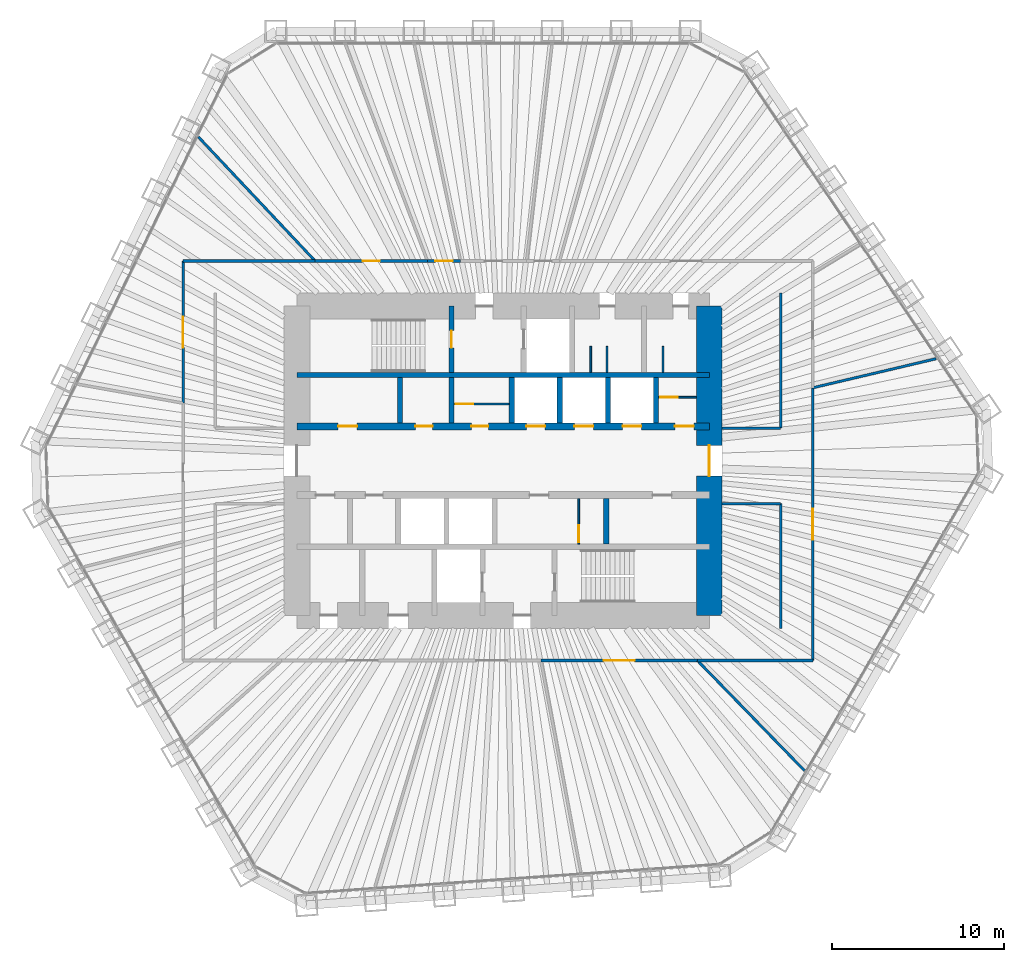
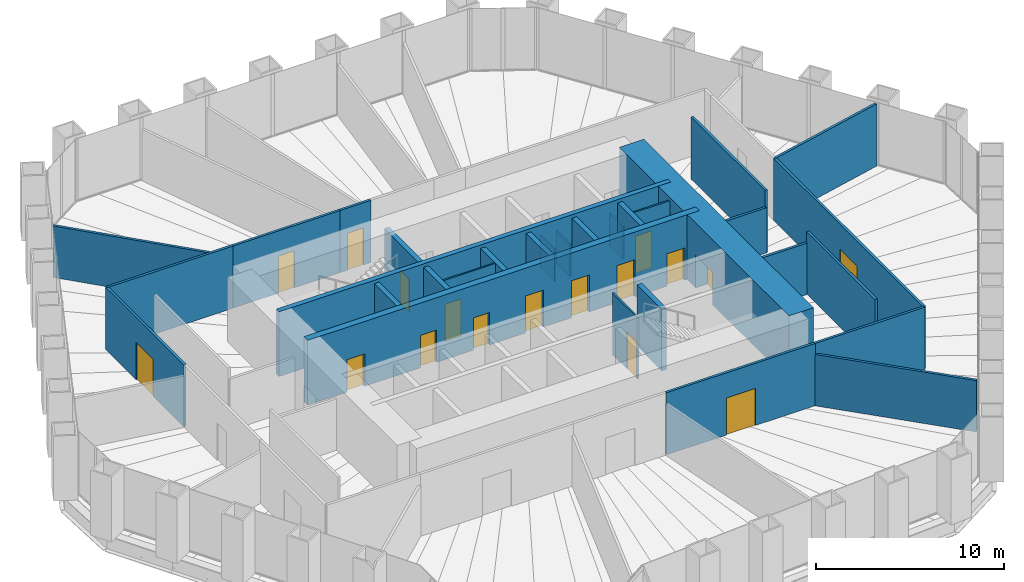
# One storey, part 11 of 13: 31 walls, 17 doors, 17 openings.
"""IFC4 building model written with IfcOpenShell, lengths in metres."""

import ifcopenshell
import ifcopenshell.guid

model = None  # the IFC model being written
_history = None  # IfcOwnerHistory: only IFC2X3 demands one
_inside = {}  # id of a spatial element -> (the spatial element, [elements in it])
_under = {}  # id of a project, library or spatial element -> (it, [spatial elements below it])
_declared = {}  # id of a project -> (the project, [libraries it declares])
_typed = {}  # id of a type object -> (the type object, [elements of that type])
_made_of = {}  # id of a material, layer set ... -> (it, [elements and type objects made of it])


def new_model(schema):
    """Start an empty IFC model of exactly this schema.

    Asked for "IFC4X3", IfcOpenShell would pick the latest addendum, in which some entities
    have other attributes; the version numbers below select the first issue.
    IFC2X3 requires an IfcOwnerHistory on every rooted entity: one is made here for all.
    """
    global model, _history
    if schema == "IFC4X3":
        model = ifcopenshell.file(schema_version=(4, 3, 0, 0))
    else:
        model = ifcopenshell.file(schema=schema)
    _inside.clear()
    _under.clear()
    _declared.clear()
    _typed.clear()
    _made_of.clear()
    _history = None
    if model.schema == "IFC2X3":
        org = make("IfcOrganization", Name="unknown")
        user = make(
            "IfcPersonAndOrganization",
            ThePerson=make("IfcPerson", FamilyName="unknown"),
            TheOrganization=org,
        )
        app = make(
            "IfcApplication",
            ApplicationDeveloper=org,
            Version="unknown",
            ApplicationFullName="unknown",
            ApplicationIdentifier="unknown",
        )
        _history = make(
            "IfcOwnerHistory",
            OwningUser=user,
            OwningApplication=app,
            ChangeAction="ADDED",
            CreationDate=0,
        )
    return model


def make(cls, **values):
    """One entity of the class cls with the attributes given. An attribute that is None is left unset."""
    return model.create_entity(
        cls, **{name: value for name, value in values.items() if value is not None}
    )


def rooted(cls, **values):
    """An entity with a GlobalId (a new one), such as an element, a storey or a relation."""
    return make(cls, GlobalId=ifcopenshell.guid.new(), OwnerHistory=_history, **values)


def si_unit(unit_type, name, prefix=None):
    """IfcSIUnit, for example si_unit("LENGTHUNIT", "METRE", prefix="MILLI")."""
    return make("IfcSIUnit", UnitType=unit_type, Prefix=prefix, Name=name)


def assignment(units):
    """IfcUnitAssignment: the units of a project."""
    return None if units is None else make("IfcUnitAssignment", Units=units)


def point(xyz):
    """IfcCartesianPoint."""
    return None if xyz is None else make("IfcCartesianPoint", Coordinates=xyz)


def direction(xyz):
    """IfcDirection."""
    return None if xyz is None else make("IfcDirection", DirectionRatios=xyz)


def frame(location, z_axis=None, x_axis=None):
    """IfcAxis2Placement3D, a coordinate frame: its origin and axes. An axis left out is left unset."""
    return make(
        "IfcAxis2Placement3D",
        Location=point(location),
        Axis=direction(z_axis),
        RefDirection=direction(x_axis),
    )


def frame_2d(location, x_axis=None):
    """IfcAxis2Placement2D, a coordinate frame in the plane: its origin and x axis."""
    return make(
        "IfcAxis2Placement2D", Location=point(location), RefDirection=direction(x_axis)
    )


def origin():
    """The frame at (0, 0, 0) with its axes left unset."""
    return frame((0.0, 0.0, 0.0))


def place(relative_to, where):
    """IfcLocalPlacement: puts the frame where relative to a parent placement (None: the world)."""
    return make(
        "IfcLocalPlacement", PlacementRelTo=relative_to, RelativePlacement=where
    )


def context(
    kind, dimensions, precision=None, world=None, true_north=None, identifier=None
):
    """IfcGeometricRepresentationContext, for example the 3D "Model" context."""
    return make(
        "IfcGeometricRepresentationContext",
        ContextIdentifier=identifier,
        ContextType=kind,
        CoordinateSpaceDimension=dimensions,
        Precision=precision,
        WorldCoordinateSystem=world,
        TrueNorth=true_north,
    )


def subcontext(parent, identifier, kind, view, scale=None):
    """IfcGeometricRepresentationSubContext, for example "Body" below "Model"."""
    return make(
        "IfcGeometricRepresentationSubContext",
        ContextIdentifier=identifier,
        ContextType=kind,
        ParentContext=parent,
        TargetScale=scale,
        TargetView=view,
    )


def project(units=None, contexts=None):
    """IfcProject with its units and contexts."""
    return rooted(
        "IfcProject",
        Name="project",
        RepresentationContexts=contexts,
        UnitsInContext=assignment(units),
    )


def spatial(cls, under=None, at=None, **own):
    """A site, building, storey or space (cls), placed at a placement, below another one or the project."""
    s = rooted(cls, ObjectPlacement=at, **own)
    if under is not None:
        _under.setdefault(under.id(), (under, []))[1].append(s)
    return s


def profile(cls, at=None, kind="AREA", **sizes):
    """A parametric profile (cls). Its sizes go by their IFC names, for example OverallWidth=200.0."""
    return make(cls, ProfileType=kind, Position=at, **sizes)


def rectangle(**sizes):
    """IfcRectangleProfileDef."""
    return profile("IfcRectangleProfileDef", **sizes)


def extrude(swept, where, along, depth):
    """IfcExtrudedAreaSolid: the profile swept, set in the frame where, extruded along a direction by depth."""
    return make(
        "IfcExtrudedAreaSolid",
        SweptArea=swept,
        Position=where,
        ExtrudedDirection=direction(along),
        Depth=depth,
    )


def shape(context_of_items, identifier, shape_type, items):
    """IfcShapeRepresentation: the items that make up one representation, for example the "Body"."""
    return make(
        "IfcShapeRepresentation",
        ContextOfItems=context_of_items,
        RepresentationIdentifier=identifier,
        RepresentationType=shape_type,
        Items=items,
    )


def material(Name=None, Category=None):
    """IfcMaterial."""
    return make("IfcMaterial", Name=Name, Category=Category)


def layer(
    of_material, thickness, ventilated=None, Name=None, Category=None, Priority=None
):
    """IfcMaterialLayer: one layer of a wall or slab, of a material (None: an air gap)."""
    return make(
        "IfcMaterialLayer",
        Material=of_material,
        LayerThickness=thickness,
        IsVentilated=ventilated,
        Name=Name,
        Category=Category,
        Priority=Priority,
    )


def layer_set(layers, Name=None):
    """IfcMaterialLayerSet."""
    return make("IfcMaterialLayerSet", MaterialLayers=layers, LayerSetName=Name)


def made_of(thing, what):
    """Note that an element or type object is made of a material, layer set ...; save() writes the relation."""
    if what is not None:
        _made_of.setdefault(what.id(), (what, []))[1].append(thing)
    return thing


def type_object(cls, material=None, **own):
    """A type object (cls), such as IfcWallType, which elements share."""
    return made_of(rooted(cls, **own), material)


def element(
    cls,
    number,
    at=None,
    inside=None,
    cuts=None,
    type_object=None,
    material=None,
    context=None,
    identifier="Body",
    shape_type=None,
    held_by="IfcProductDefinitionShape",
    body=None,
    shapes=None,
    **own,
):
    """One element of the class cls, such as IfcWall. Its Tag is "e" and its number.

    at: its placement. inside: the storey or other place that contains it. cuts: it is an
    opening in that element (IfcRelVoidsElement). A single representation is given by context,
    identifier, shape_type and body (its items); several are given by shapes. held_by: the class
    of the entity that holds the representations. save() writes the other relations.
    """
    e = rooted(cls, Tag="e%d" % number, ObjectPlacement=at, **own)
    if body is not None:
        shapes = [shape(context, identifier, shape_type, body)]
    if shapes is not None:
        e.Representation = make(held_by, Representations=shapes)
    if inside is not None:
        _inside.setdefault(inside.id(), (inside, []))[1].append(e)
    if cuts is not None:
        rooted(
            "IfcRelVoidsElement", RelatingBuildingElement=cuts, RelatedOpeningElement=e
        )
    if type_object is not None:
        _typed.setdefault(type_object.id(), (type_object, []))[1].append(e)
    return made_of(e, material)


def fill(opening, filler):
    """IfcRelFillsElement: the door or window that sits in an opening."""
    return rooted(
        "IfcRelFillsElement",
        RelatingOpeningElement=opening,
        RelatedBuildingElement=filler,
    )


def aggregate(whole, parts):
    """IfcRelAggregates: a whole, such as a stair, and the parts it consists of."""
    return rooted("IfcRelAggregates", RelatingObject=whole, RelatedObjects=parts)


def save(model, path):
    """Write the relations noted so far, then the file.

    IfcRelAggregates (storeys below a building ...), IfcRelContainedInSpatialStructure (elements
    in a storey), IfcRelDefinesByType, IfcRelAssociatesMaterial and IfcRelDeclares: one each for
    every whole, place, type object, material and project.
    """
    for whole, parts in _under.values():
        aggregate(whole, parts)
    for where, things in _inside.values():
        rooted(
            "IfcRelContainedInSpatialStructure",
            RelatedElements=things,
            RelatingStructure=where,
        )
    for kind, things in _typed.values():
        rooted("IfcRelDefinesByType", RelatedObjects=things, RelatingType=kind)
    for what, things in _made_of.values():
        rooted("IfcRelAssociatesMaterial", RelatedObjects=things, RelatingMaterial=what)
    for by, libraries in _declared.values():
        rooted("IfcRelDeclares", RelatingContext=by, RelatedDefinitions=libraries)
    model.write(path)


model = new_model("IFC4")

# Units and contexts
model_context = context("Model", 3, precision=1e-05, world=origin(), true_north=direction((0.0, 1.0)))
body_context = subcontext(model_context, "Body", "Model", "MODEL_VIEW")
ifc_project = project(units=[si_unit("LENGTHUNIT", "METRE"), si_unit("AREAUNIT", "SQUARE_METRE"), si_unit("VOLUMEUNIT", "CUBIC_METRE"), si_unit("PLANEANGLEUNIT", "RADIAN"), si_unit("MASSUNIT", "GRAM", prefix="KILO")], contexts=[model_context])

# Site, building, storey
site_placement = place(None, origin())
site = spatial("IfcSite", under=ifc_project, at=site_placement, CompositionType="ELEMENT")
building_placement = place(site_placement, origin())
building = spatial("IfcBuilding", under=site, at=building_placement, Name="Qingtian Harvest Tower", CompositionType="ELEMENT")
storey_placement = place(building_placement, frame((0.0, 0.0, 132.39990234375)))
storey = spatial("IfcBuildingStorey", under=building, at=storey_placement, Name="L27", CompositionType="ELEMENT", Elevation=132.39990234375)

# Wall
ifc_material_1 = material(Name="Concrete fc' 70 MPa", Category="concrete")
ifc_layer_1 = layer(ifc_material_1, 0.300048828125)
ifc_layer_set_1 = layer_set([ifc_layer_1], Name="Core inner wall RC5 300")
wall_type_1 = type_object("IfcWallType", Name="Core inner wall RC5 300", PredefinedType="SHEAR", material=ifc_layer_set_1)
wall_1_placement = place(storey_placement, frame((-12.0, 5.0, 0.0), z_axis=(0.0, 0.0, 1.0), x_axis=(1.0, 0.0, 0.0)))
element("IfcWall", 1, at=wall_1_placement, inside=storey, type_object=wall_type_1, Name="Core wall IN5 L27", PredefinedType="SHEAR", context=body_context, shape_type="SweptSolid", body=[
    extrude(rectangle(XDim=24.0, YDim=0.300048828125, at=frame_2d((12.0, 0.0))), origin(), (0.0, 0.0, 1.0), 4.2001953125),
])

# Wall, openings, doors
ifc_material_2 = material(Name="Concrete fc' 70 MPa", Category="concrete")
ifc_layer_2 = layer(ifc_material_2, 0.39990234375)
ifc_layer_set_2 = layer_set([ifc_layer_2], Name="Core inner web RC6 400")
wall_type_2 = type_object("IfcWallType", Name="Core inner web RC6 400", PredefinedType="SHEAR", material=ifc_layer_set_2)
wall_2_placement = place(storey_placement, frame((-12.0, 2.0, 0.0), z_axis=(0.0, 0.0, 1.0), x_axis=(1.0, 0.0, 0.0)))
wall_2 = element("IfcWall", 2, at=wall_2_placement, inside=storey, type_object=wall_type_2, Name="Core wall IN2 L27", PredefinedType="SHEAR", context=body_context, shape_type="SweptSolid", body=[
    extrude(rectangle(XDim=24.0, YDim=0.39990234375, at=frame_2d((12.0, 0.0))), origin(), (0.0, 0.0, 1.0), 4.2001953125),
])
opening_1_placement = place(wall_2_placement, frame((2.39990234375, 0.0, 0.0)))
opening_1 = element("IfcOpeningElement", 3, at=opening_1_placement, cuts=wall_2, Name="Opening FD4", PredefinedType="OPENING", context=body_context, shape_type="SweptSolid", body=[
    extrude(rectangle(XDim=1.10009765625, YDim=2.10009765625, at=frame_2d((0.550048828125, 1.050048828125))), frame((0.0, 0.2099609375, 0.0), z_axis=(0.0, -1.0, 0.0), x_axis=(1.0, 0.0, 0.0)), (0.0, 0.0, 1.0), 0.419921875),
])
opening_2_placement = place(wall_2_placement, frame((22.0, 0.0, 0.0)))
opening_2 = element("IfcOpeningElement", 4, at=opening_2_placement, cuts=wall_2, Name="Opening FD4", PredefinedType="OPENING", context=body_context, shape_type="SweptSolid", body=[
    extrude(rectangle(XDim=1.10009765625, YDim=2.10009765625, at=frame_2d((0.550048828125, 1.050048828125))), frame((0.0, 0.2099609375, 0.0), z_axis=(0.0, -1.0, 0.0), x_axis=(1.0, 0.0, 0.0)), (0.0, 0.0, 1.0), 0.419921875),
])
opening_3_placement = place(wall_2_placement, frame((10.14990234375, 0.0, 0.0)))
opening_3 = element("IfcOpeningElement", 5, at=opening_3_placement, cuts=wall_2, Name="Opening FD1", PredefinedType="OPENING", context=body_context, shape_type="SweptSolid", body=[
    extrude(rectangle(XDim=1.0, YDim=2.10009765625, at=frame_2d((0.5, 1.050048828125))), frame((0.0, 0.2099609375, 0.0), z_axis=(0.0, -1.0, 0.0), x_axis=(1.0, 0.0, 0.0)), (0.0, 0.0, 1.0), 0.419921875),
])
opening_4_placement = place(wall_2_placement, frame((6.89990234375, 0.0, 0.0)))
opening_4 = element("IfcOpeningElement", 6, at=opening_4_placement, cuts=wall_2, Name="Opening FD1", PredefinedType="OPENING", context=body_context, shape_type="SweptSolid", body=[
    extrude(rectangle(XDim=1.0, YDim=2.10009765625, at=frame_2d((0.5, 1.050048828125))), frame((0.0, 0.2099609375, 0.0), z_axis=(0.0, -1.0, 0.0), x_axis=(1.0, 0.0, 0.0)), (0.0, 0.0, 1.0), 0.419921875),
])
opening_5_placement = place(wall_2_placement, frame((13.35009765625, 0.0, 0.0)))
opening_5 = element("IfcOpeningElement", 7, at=opening_5_placement, cuts=wall_2, Name="Opening LD1", PredefinedType="OPENING", context=body_context, shape_type="SweptSolid", body=[
    extrude(rectangle(XDim=1.10009765625, YDim=2.39990234375, at=frame_2d((0.550048828125, 1.199951171875))), frame((0.0, 0.2099609375, 0.0), z_axis=(0.0, -1.0, 0.0), x_axis=(1.0, 0.0, 0.0)), (0.0, 0.0, 1.0), 0.419921875),
])
opening_6_placement = place(wall_2_placement, frame((16.14990234375, 0.0, 0.0)))
opening_6 = element("IfcOpeningElement", 8, at=opening_6_placement, cuts=wall_2, Name="Opening LD1", PredefinedType="OPENING", context=body_context, shape_type="SweptSolid", body=[
    extrude(rectangle(XDim=1.10009765625, YDim=2.39990234375, at=frame_2d((0.550048828125, 1.199951171875))), frame((0.0, 0.2099609375, 0.0), z_axis=(0.0, -1.0, 0.0), x_axis=(1.0, 0.0, 0.0)), (0.0, 0.0, 1.0), 0.419921875),
])
opening_7_placement = place(wall_2_placement, frame((18.949951171875, 0.0, 0.0)))
opening_7 = element("IfcOpeningElement", 9, at=opening_7_placement, cuts=wall_2, Name="Opening LD1", PredefinedType="OPENING", context=body_context, shape_type="SweptSolid", body=[
    extrude(rectangle(XDim=1.10009765625, YDim=2.39990234375, at=frame_2d((0.550048828125, 1.199951171875))), frame((0.0, 0.2099609375, 0.0), z_axis=(0.0, -1.0, 0.0), x_axis=(1.0, 0.0, 0.0)), (0.0, 0.0, 1.0), 0.419921875),
])
ifc_material_3 = material(Name="Steel-faced door leaf", Category="steel")
door_type_1 = type_object("IfcDoorType", Name="Fire door FD1 single 1 HR", OperationType="SINGLE_SWING_LEFT", PredefinedType="DOOR", material=ifc_material_3)
door_1_placement = place(opening_3_placement, origin())
door_1 = element("IfcDoor", 10, at=door_1_placement, inside=storey, type_object=door_type_1, Name="STA door L27", OperationType="SINGLE_SWING_LEFT", OverallHeight=2.10009765625, OverallWidth=1.0, PredefinedType="DOOR", context=body_context, shape_type="SweptSolid", body=[
    extrude(rectangle(XDim=1.0, YDim=2.10009765625, at=frame_2d((0.5, 1.050048828125))), frame((0.0, 0.02490234375, 0.0), z_axis=(0.0, -1.0, 0.0), x_axis=(1.0, 0.0, 0.0)), (0.0, 0.0, 1.0), 0.050048828125),
])
fill(opening_3, door_1)
door_2_placement = place(opening_4_placement, origin())
door_2 = element("IfcDoor", 11, at=door_2_placement, inside=storey, type_object=door_type_1, Name="Store door L27", OperationType="SINGLE_SWING_RIGHT", OverallHeight=2.10009765625, OverallWidth=1.0, PredefinedType="DOOR", context=body_context, shape_type="SweptSolid", body=[
    extrude(rectangle(XDim=1.0, YDim=2.10009765625, at=frame_2d((0.5, 1.050048828125))), frame((0.0, 0.02490234375, 0.0), z_axis=(0.0, -1.0, 0.0), x_axis=(1.0, 0.0, 0.0)), (0.0, 0.0, 1.0), 0.050048828125),
])
fill(opening_4, door_2)
ifc_material_4 = material(Name="Steel-faced door leaf", Category="steel")
door_type_2 = type_object("IfcDoorType", Name="Fire door FD4 single 2 HR", OperationType="SINGLE_SWING_LEFT", PredefinedType="DOOR", material=ifc_material_4)
door_3_placement = place(opening_1_placement, origin())
door_3 = element("IfcDoor", 12, at=door_3_placement, inside=storey, type_object=door_type_2, Name="RA door L27", OperationType="SINGLE_SWING_LEFT", OverallHeight=2.10009765625, OverallWidth=1.10009765625, PredefinedType="DOOR", context=body_context, shape_type="SweptSolid", body=[
    extrude(rectangle(XDim=1.10009765625, YDim=2.10009765625, at=frame_2d((0.550048828125, 1.050048828125))), frame((0.0, 0.02490234375, 0.0), z_axis=(0.0, -1.0, 0.0), x_axis=(1.0, 0.0, 0.0)), (0.0, 0.0, 1.0), 0.050048828125),
])
fill(opening_1, door_3)
door_4_placement = place(opening_2_placement, origin())
door_4 = element("IfcDoor", 13, at=door_4_placement, inside=storey, type_object=door_type_2, Name="AHU door L27", OperationType="SINGLE_SWING_RIGHT", OverallHeight=2.10009765625, OverallWidth=1.10009765625, PredefinedType="DOOR", context=body_context, shape_type="SweptSolid", body=[
    extrude(rectangle(XDim=1.10009765625, YDim=2.10009765625, at=frame_2d((0.550048828125, 1.050048828125))), frame((0.0, 0.02490234375, 0.0), z_axis=(0.0, -1.0, 0.0), x_axis=(1.0, 0.0, 0.0)), (0.0, 0.0, 1.0), 0.050048828125),
])
fill(opening_2, door_4)
ifc_material_5 = material(Name="Stainless steel lift landing door", Category="steel")
door_type_3 = type_object("IfcDoorType", Name="Lift landing door LD1 1 HR", OperationType="DOUBLE_DOOR_SLIDING", PredefinedType="DOOR", material=ifc_material_5)
door_5_placement = place(opening_5_placement, origin())
door_5 = element("IfcDoor", 14, at=door_5_placement, inside=storey, type_object=door_type_3, Name="PLB1 landing door L27", OperationType="DOUBLE_DOOR_SLIDING", OverallHeight=2.39990234375, OverallWidth=1.10009765625, PredefinedType="DOOR", context=body_context, shape_type="SweptSolid", body=[
    extrude(rectangle(XDim=1.10009765625, YDim=2.39990234375, at=frame_2d((0.550048828125, 1.199951171875))), frame((0.0, 0.02490234375, 0.0), z_axis=(0.0, -1.0, 0.0), x_axis=(1.0, 0.0, 0.0)), (0.0, 0.0, 1.0), 0.050048828125),
])
fill(opening_5, door_5)
door_6_placement = place(opening_6_placement, origin())
door_6 = element("IfcDoor", 15, at=door_6_placement, inside=storey, type_object=door_type_3, Name="PLB2 landing door L27", OperationType="DOUBLE_DOOR_SLIDING", OverallHeight=2.39990234375, OverallWidth=1.10009765625, PredefinedType="DOOR", context=body_context, shape_type="SweptSolid", body=[
    extrude(rectangle(XDim=1.10009765625, YDim=2.39990234375, at=frame_2d((0.550048828125, 1.199951171875))), frame((0.0, 0.02490234375, 0.0), z_axis=(0.0, -1.0, 0.0), x_axis=(1.0, 0.0, 0.0)), (0.0, 0.0, 1.0), 0.050048828125),
])
fill(opening_6, door_6)
door_7_placement = place(opening_7_placement, origin())
door_7 = element("IfcDoor", 16, at=door_7_placement, inside=storey, type_object=door_type_3, Name="PLB3 landing door L27", OperationType="DOUBLE_DOOR_SLIDING", OverallHeight=2.39990234375, OverallWidth=1.10009765625, PredefinedType="DOOR", context=body_context, shape_type="SweptSolid", body=[
    extrude(rectangle(XDim=1.10009765625, YDim=2.39990234375, at=frame_2d((0.550048828125, 1.199951171875))), frame((0.0, 0.02490234375, 0.0), z_axis=(0.0, -1.0, 0.0), x_axis=(1.0, 0.0, 0.0)), (0.0, 0.0, 1.0), 0.050048828125),
])
fill(opening_7, door_7)

# Wall, opening, door
ifc_material_6 = material(Name="Precast concrete shaft panel", Category="concrete")
ifc_layer_3 = layer(ifc_material_6, 0.300048828125)
ifc_layer_set_3 = layer_set([ifc_layer_3], Name="Core shaft partition SW1 300")
wall_type_3 = type_object("IfcWallType", Name="Core shaft partition SW1 300", PredefinedType="PARTITIONING", material=ifc_layer_set_3)
wall_3_placement = place(storey_placement, frame((-3.0, 5.14990234375, 0.0), z_axis=(0.0, 0.0, 1.0), x_axis=(0.0, 1.0, 0.0)))
wall_3 = element("IfcWall", 17, at=wall_3_placement, inside=storey, type_object=wall_type_3, Name="Core shaft partition XN1 L27", PredefinedType="PARTITIONING", context=body_context, shape_type="SweptSolid", body=[
    extrude(rectangle(XDim=3.85009765625, YDim=0.300048828125, at=frame_2d((1.925048828125, 0.0))), origin(), (0.0, 0.0, 1.0), 3.97998046875),
])
opening_8_placement = place(wall_3_placement, frame((1.425048828125, 0.0, 0.0)))
opening_8 = element("IfcOpeningElement", 18, at=opening_8_placement, cuts=wall_3, Name="Opening FD1", PredefinedType="OPENING", context=body_context, shape_type="SweptSolid", body=[
    extrude(rectangle(XDim=1.0, YDim=2.10009765625, at=frame_2d((0.5, 1.050048828125))), frame((0.0, 0.159912109375, 0.0), z_axis=(0.0, -1.0, 0.0), x_axis=(1.0, 0.0, 0.0)), (0.0, 0.0, 1.0), 0.320068359375),
])
door_8_placement = place(opening_8_placement, origin())
door_8 = element("IfcDoor", 19, at=door_8_placement, inside=storey, type_object=door_type_1, Name="S1 door L27", OperationType="SINGLE_SWING_LEFT", OverallHeight=2.10009765625, OverallWidth=1.0, PredefinedType="DOOR", context=body_context, shape_type="SweptSolid", body=[
    extrude(rectangle(XDim=1.0, YDim=2.10009765625, at=frame_2d((0.5, 1.050048828125))), frame((0.0, 0.02490234375, 0.0), z_axis=(0.0, -1.0, 0.0), x_axis=(1.0, 0.0, 0.0)), (0.0, 0.0, 1.0), 0.050048828125),
])
fill(opening_8, door_8)

# Walls
for number, where, z_axis, x_axis, name in (
    (20, (-6.0, 2.199951171875, 0.0), (0.0, 0.0, 1.0), (0.0, 1.0, 0.0), "Core shaft partition XA1 L27"),
    (21, (-3.0, 2.199951171875, 0.0), (0.0, 0.0, 1.0), (0.0, 1.0, 0.0), "Core shaft partition XA2 L27"),
    (22, (0.5, 2.199951171875, 0.0), (0.0, 0.0, 1.0), (0.0, 1.0, 0.0), "Core shaft partition XA3 L27"),
    (23, (3.300048828125, 2.199951171875, 0.0), (0.0, 0.0, 1.0), (0.0, 1.0, 0.0), "Core shaft partition XA4 L27"),
    (24, (6.10009765625, 2.199951171875, 0.0), (0.0, 0.0, 1.0), (0.0, 1.0, 0.0), "Core shaft partition XA5 L27"),
    (25, (8.89990234375, 2.199951171875, 0.0), (0.0, 0.0, 1.0), (0.0, 1.0, 0.0), "Core shaft partition XA6 L27"),
    (26, (6.0, -4.85009765625, 0.0), (0.0, 0.0, 1.0), (0.0, 1.0, 0.0), "Core shaft partition XB5 L27"),
):
    element("IfcWall", number, at=place(storey_placement, frame(where, z_axis=z_axis, x_axis=x_axis)), inside=storey, type_object=wall_type_3, Name=name, PredefinedType="PARTITIONING", context=body_context, shape_type="SweptSolid", body=[
        extrude(rectangle(XDim=2.650146484375, YDim=0.300048828125, at=frame_2d((1.3251953125, 0.0))), origin(), (0.0, 0.0, 1.0), 3.97998046875),
    ])

# Wall, opening, door
ifc_material_7 = material(Name="Concrete fc' 70 MPa", Category="concrete")
ifc_layer_4 = layer(ifc_material_7, 1.5)
ifc_layer_set_4 = layer_set([ifc_layer_4], Name="Core wall RC1 1500")
wall_type_4 = type_object("IfcWallType", Name="Core wall RC1 1500", PredefinedType="SHEAR", material=ifc_layer_set_4)
wall_4_placement = place(storey_placement, frame((12.0, -9.0, 0.0), z_axis=(0.0, 0.0, 1.0), x_axis=(0.0, 1.0, 0.0)))
wall_4 = element("IfcWall", 27, at=wall_4_placement, inside=storey, type_object=wall_type_4, Name="Core wall CE L27", PredefinedType="SHEAR", context=body_context, shape_type="SweptSolid", body=[
    extrude(rectangle(XDim=18.0, YDim=1.5, at=frame_2d((9.0, 0.0))), origin(), (0.0, 0.0, 1.0), 4.2001953125),
])
opening_9_placement = place(wall_4_placement, frame((8.10009765625, 0.0, 0.0)))
opening_9 = element("IfcOpeningElement", 28, at=opening_9_placement, cuts=wall_4, Name="Opening FD2", PredefinedType="OPENING", context=body_context, shape_type="SweptSolid", body=[
    extrude(rectangle(XDim=1.800048828125, YDim=2.10009765625, at=frame_2d((0.89990234375, 1.050048828125))), frame((0.0, 0.760009765625, 0.0), z_axis=(0.0, -1.0, 0.0), x_axis=(1.0, 0.0, 0.0)), (0.0, 0.0, 1.0), 1.52001953125),
])
ifc_material_8 = material(Name="Steel-faced door leaf", Category="steel")
door_type_4 = type_object("IfcDoorType", Name="Fire door FD2 double 1 HR", OperationType="DOUBLE_DOOR_DOUBLE_SWING", PredefinedType="DOOR", material=ifc_material_8)
door_9_placement = place(opening_9_placement, origin())
door_9 = element("IfcDoor", 29, at=door_9_placement, inside=storey, type_object=door_type_4, Name="LOBBY-E door L27", OperationType="DOUBLE_DOOR_DOUBLE_SWING", OverallHeight=2.10009765625, OverallWidth=1.800048828125, PredefinedType="DOOR", context=body_context, shape_type="SweptSolid", body=[
    extrude(rectangle(XDim=1.800048828125, YDim=2.10009765625, at=frame_2d((0.89990234375, 1.050048828125))), frame((0.0, 0.02490234375, 0.0), z_axis=(0.0, -1.0, 0.0), x_axis=(1.0, 0.0, 0.0)), (0.0, 0.0, 1.0), 0.050048828125),
])
fill(opening_9, door_9)

# Wall
ifc_material_9 = material(Name="Gypsum board on steel studs", Category="steel")
ifc_layer_5 = layer(ifc_material_9, 0.14990234375)
ifc_layer_set_5 = layer_set([ifc_layer_5], Name="Partition PT1 150")
wall_type_5 = type_object("IfcWallType", Name="Partition PT1 150", PredefinedType="PARTITIONING", material=ifc_layer_set_5)
wall_5_placement = place(storey_placement, frame((25.1943359375, 5.93603515625, 0.0), z_axis=(0.0, 0.0, 1.0), x_axis=(-0.973348007689, -0.22933306767, 0.0)))
element("IfcWall", 30, at=wall_5_placement, inside=storey, type_object=wall_type_5, Name="Fitness room wall L27", PredefinedType="PARTITIONING", context=body_context, shape_type="SweptSolid", body=[
    extrude(rectangle(XDim=7.36572265625, YDim=0.14990234375, at=frame_2d((3.682861328125, 0.0))), origin(), (0.0, 0.0, 1.0), 4.030029296875),
])

# Wall, opening, door
wall_6_placement = place(storey_placement, frame((18.02490234375, 4.246826171875, 0.0), z_axis=(0.0, 0.0, 1.0), x_axis=(0.0, -1.0, 0.0)))
wall_6 = element("IfcWall", 31, at=wall_6_placement, inside=storey, type_object=wall_type_5, Name="Fitness room wall L27", PredefinedType="PARTITIONING", context=body_context, shape_type="SweptSolid", body=[
    extrude(rectangle(XDim=15.871826171875, YDim=0.14990234375, at=frame_2d((7.93603515625, 0.0))), origin(), (0.0, 0.0, 1.0), 4.030029296875),
])
opening_10_placement = place(wall_6_placement, frame((7.035888671875, 0.0, 0.0)))
opening_10 = element("IfcOpeningElement", 32, at=opening_10_placement, cuts=wall_6, Name="Opening D3", PredefinedType="OPENING", context=body_context, shape_type="SweptSolid", body=[
    extrude(rectangle(XDim=1.800048828125, YDim=2.39990234375, at=frame_2d((0.89990234375, 1.199951171875))), frame((0.0, 0.0849609375, 0.0), z_axis=(0.0, -1.0, 0.0), x_axis=(1.0, 0.0, 0.0)), (0.0, 0.0, 1.0), 0.169921875),
])
ifc_material_10 = material(Name="Laminated timber door leaf", Category="wood")
door_type_5 = type_object("IfcDoorType", Name="Room door D3 double", OperationType="DOUBLE_DOOR_DOUBLE_SWING", PredefinedType="DOOR", material=ifc_material_10)
door_10_placement = place(opening_10_placement, origin())
door_10 = element("IfcDoor", 33, at=door_10_placement, inside=storey, type_object=door_type_5, Name="Fitness room door L27", OperationType="DOUBLE_DOOR_DOUBLE_SWING", OverallHeight=2.39990234375, OverallWidth=1.800048828125, PredefinedType="DOOR", context=body_context, shape_type="SweptSolid", body=[
    extrude(rectangle(XDim=1.800048828125, YDim=2.39990234375, at=frame_2d((0.89990234375, 1.199951171875))), frame((0.0, 0.02490234375, 0.0), z_axis=(0.0, -1.0, 0.0), x_axis=(1.0, 0.0, 0.0)), (0.0, 0.0, 1.0), 0.050048828125),
])
fill(opening_10, door_10)

# Walls
wall_7_placement = place(storey_placement, frame((18.02490234375, -11.625, 0.0), z_axis=(0.0, 0.0, 1.0), x_axis=(-1.0, 0.0, 0.0)))
element("IfcWall", 34, at=wall_7_placement, inside=storey, type_object=wall_type_5, Name="Fitness room wall L27", PredefinedType="PARTITIONING", context=body_context, shape_type="SweptSolid", body=[
    extrude(rectangle(XDim=6.7177734375, YDim=0.14990234375, at=frame_2d((3.35888671875, 0.0))), origin(), (0.0, 0.0, 1.0), 4.030029296875),
])
wall_8_placement = place(storey_placement, frame((17.537841796875, -18.031005859375, 0.0), z_axis=(0.0, 0.0, 1.0), x_axis=(-0.697230918085, 0.716846599257, 0.0)))
element("IfcWall", 35, at=wall_8_placement, inside=storey, type_object=wall_type_5, Name="Grower training room wall L27", PredefinedType="PARTITIONING", context=body_context, shape_type="SweptSolid", body=[
    extrude(rectangle(XDim=8.936279296875, YDim=0.14990234375, at=frame_2d((4.46826171875, 0.0))), origin(), (0.0, 0.0, 1.0), 3.330078125),
])

# Wall, opening, door
wall_9_placement = place(storey_placement, frame((11.30712890625, -11.625, 0.0), z_axis=(0.0, 0.0, 1.0), x_axis=(-1.0, 0.0, 0.0)))
wall_9 = element("IfcWall", 36, at=wall_9_placement, inside=storey, type_object=wall_type_5, Name="Grower training room wall L27", PredefinedType="PARTITIONING", context=body_context, shape_type="SweptSolid", body=[
    extrude(rectangle(XDim=9.110595703125, YDim=0.14990234375, at=frame_2d((4.55517578125, 0.0))), origin(), (0.0, 0.0, 1.0), 4.030029296875),
])
opening_11_placement = place(wall_9_placement, frame((3.6552734375, 0.0, 0.0)))
opening_11 = element("IfcOpeningElement", 37, at=opening_11_placement, cuts=wall_9, Name="Opening D3", PredefinedType="OPENING", context=body_context, shape_type="SweptSolid", body=[
    extrude(rectangle(XDim=1.800048828125, YDim=2.39990234375, at=frame_2d((0.89990234375, 1.199951171875))), frame((0.0, 0.0849609375, 0.0), z_axis=(0.0, -1.0, 0.0), x_axis=(1.0, 0.0, 0.0)), (0.0, 0.0, 1.0), 0.169921875),
])
door_11_placement = place(opening_11_placement, origin())
door_11 = element("IfcDoor", 38, at=door_11_placement, inside=storey, type_object=door_type_5, Name="Grower training room door L27", OperationType="DOUBLE_DOOR_DOUBLE_SWING", OverallHeight=2.39990234375, OverallWidth=1.800048828125, PredefinedType="DOOR", context=body_context, shape_type="SweptSolid", body=[
    extrude(rectangle(XDim=1.800048828125, YDim=2.39990234375, at=frame_2d((0.89990234375, 1.199951171875))), frame((0.0, 0.02490234375, 0.0), z_axis=(0.0, -1.0, 0.0), x_axis=(1.0, 0.0, 0.0)), (0.0, 0.0, 1.0), 0.050048828125),
])
fill(opening_11, door_11)

wall_10_placement = place(storey_placement, frame((-18.625, 3.35302734375, 0.0), z_axis=(0.0, 0.0, 1.0), x_axis=(0.0, 1.0, 0.0)))
wall_10 = element("IfcWall", 39, at=wall_10_placement, inside=storey, type_object=wall_type_5, Name="Exercise studio wall L27", PredefinedType="PARTITIONING", context=body_context, shape_type="SweptSolid", body=[
    extrude(rectangle(XDim=8.27197265625, YDim=0.14990234375, at=frame_2d((4.135986328125, 0.0))), origin(), (0.0, 0.0, 1.0), 4.030029296875),
])
opening_12_placement = place(wall_10_placement, frame((3.236083984375, 0.0, 0.0)))
opening_12 = element("IfcOpeningElement", 40, at=opening_12_placement, cuts=wall_10, Name="Opening D3", PredefinedType="OPENING", context=body_context, shape_type="SweptSolid", body=[
    extrude(rectangle(XDim=1.800048828125, YDim=2.39990234375, at=frame_2d((0.89990234375, 1.199951171875))), frame((0.0, 0.0849609375, 0.0), z_axis=(0.0, -1.0, 0.0), x_axis=(1.0, 0.0, 0.0)), (0.0, 0.0, 1.0), 0.169921875),
])
door_12_placement = place(opening_12_placement, origin())
door_12 = element("IfcDoor", 41, at=door_12_placement, inside=storey, type_object=door_type_5, Name="Exercise studio door L27", OperationType="DOUBLE_DOOR_DOUBLE_SWING", OverallHeight=2.39990234375, OverallWidth=1.800048828125, PredefinedType="DOOR", context=body_context, shape_type="SweptSolid", body=[
    extrude(rectangle(XDim=1.800048828125, YDim=2.39990234375, at=frame_2d((0.89990234375, 1.199951171875))), frame((0.0, 0.02490234375, 0.0), z_axis=(0.0, -1.0, 0.0), x_axis=(1.0, 0.0, 0.0)), (0.0, 0.0, 1.0), 0.050048828125),
])
fill(opening_12, door_12)

# Walls
wall_11_placement = place(storey_placement, frame((-18.625, 11.625, 0.0), z_axis=(0.0, 0.0, 1.0), x_axis=(1.0, 0.0, 0.0)))
element("IfcWall", 42, at=wall_11_placement, inside=storey, type_object=wall_type_5, Name="Exercise studio wall L27", PredefinedType="PARTITIONING", context=body_context, shape_type="SweptSolid", body=[
    extrude(rectangle(XDim=7.686279296875, YDim=0.14990234375, at=frame_2d((3.84326171875, 0.0))), origin(), (0.0, 0.0, 1.0), 4.030029296875),
])
wall_12_placement = place(storey_placement, frame((-17.738037109375, 18.850830078125, 0.0), z_axis=(0.0, 0.0, 1.0), x_axis=(0.685286406267, -0.728273672039, 0.0)))
element("IfcWall", 43, at=wall_12_placement, inside=storey, type_object=wall_type_5, Name="Library wall L27", PredefinedType="PARTITIONING", context=body_context, shape_type="SweptSolid", body=[
    extrude(rectangle(XDim=9.921875, YDim=0.14990234375, at=frame_2d((4.9609375, 0.0))), origin(), (0.0, 0.0, 1.0), 3.330078125),
])

# Wall, opening, door
wall_13_placement = place(storey_placement, frame((-10.938720703125, 11.625, 0.0), z_axis=(0.0, 0.0, 1.0), x_axis=(1.0, 0.0, 0.0)))
wall_13 = element("IfcWall", 44, at=wall_13_placement, inside=storey, type_object=wall_type_5, Name="Library wall L27", PredefinedType="PARTITIONING", context=body_context, shape_type="SweptSolid", body=[
    extrude(rectangle(XDim=6.5361328125, YDim=0.14990234375, at=frame_2d((3.26806640625, 0.0))), origin(), (0.0, 0.0, 1.0), 4.030029296875),
])
opening_13_placement = place(wall_13_placement, frame((2.76806640625, 0.0, 0.0)))
opening_13 = element("IfcOpeningElement", 45, at=opening_13_placement, cuts=wall_13, Name="Opening D2", PredefinedType="OPENING", context=body_context, shape_type="SweptSolid", body=[
    extrude(rectangle(XDim=1.0, YDim=2.39990234375, at=frame_2d((0.5, 1.199951171875))), frame((0.0, 0.0849609375, 0.0), z_axis=(0.0, -1.0, 0.0), x_axis=(1.0, 0.0, 0.0)), (0.0, 0.0, 1.0), 0.169921875),
])
ifc_material_11 = material(Name="Laminated timber door leaf", Category="wood")
door_type_6 = type_object("IfcDoorType", Name="Room door D2 single", OperationType="SINGLE_SWING_LEFT", PredefinedType="DOOR", material=ifc_material_11)
door_13_placement = place(opening_13_placement, origin())
door_13 = element("IfcDoor", 46, at=door_13_placement, inside=storey, type_object=door_type_6, Name="Library door L27", OperationType="SINGLE_SWING_LEFT", OverallHeight=2.39990234375, OverallWidth=1.0, PredefinedType="DOOR", context=body_context, shape_type="SweptSolid", body=[
    extrude(rectangle(XDim=1.0, YDim=2.39990234375, at=frame_2d((0.5, 1.199951171875))), frame((0.0, 0.02490234375, 0.0), z_axis=(0.0, -1.0, 0.0), x_axis=(1.0, 0.0, 0.0)), (0.0, 0.0, 1.0), 0.050048828125),
])
fill(opening_13, door_13)

wall_14_placement = place(storey_placement, frame((-4.402587890625, 11.625, 0.0), z_axis=(0.0, 0.0, 1.0), x_axis=(1.0, 0.0, 0.0)))
wall_14 = element("IfcWall", 47, at=wall_14_placement, inside=storey, type_object=wall_type_5, Name="Print room wall L27", PredefinedType="PARTITIONING", context=body_context, shape_type="SweptSolid", body=[
    extrude(rectangle(XDim=1.9228515625, YDim=0.14990234375, at=frame_2d((0.96142578125, 0.0))), origin(), (0.0, 0.0, 1.0), 4.030029296875),
])
opening_14_placement = place(wall_14_placement, frame((0.46142578125, 0.0, 0.0)))
opening_14 = element("IfcOpeningElement", 48, at=opening_14_placement, cuts=wall_14, Name="Opening D2", PredefinedType="OPENING", context=body_context, shape_type="SweptSolid", body=[
    extrude(rectangle(XDim=1.0, YDim=2.39990234375, at=frame_2d((0.5, 1.199951171875))), frame((0.0, 0.0849609375, 0.0), z_axis=(0.0, -1.0, 0.0), x_axis=(1.0, 0.0, 0.0)), (0.0, 0.0, 1.0), 0.169921875),
])
door_14_placement = place(opening_14_placement, origin())
door_14 = element("IfcDoor", 49, at=door_14_placement, inside=storey, type_object=door_type_6, Name="Print room door L27", OperationType="SINGLE_SWING_LEFT", OverallHeight=2.39990234375, OverallWidth=1.0, PredefinedType="DOOR", context=body_context, shape_type="SweptSolid", body=[
    extrude(rectangle(XDim=1.0, YDim=2.39990234375, at=frame_2d((0.5, 1.199951171875))), frame((0.0, 0.02490234375, 0.0), z_axis=(0.0, -1.0, 0.0), x_axis=(1.0, 0.0, 0.0)), (0.0, 0.0, 1.0), 0.050048828125),
])
fill(opening_14, door_14)

# Walls
wall_15_placement = place(storey_placement, frame((16.14990234375, 1.89990234375, 0.0), z_axis=(0.0, 0.0, 1.0), x_axis=(0.0, 1.0, 0.0)))
element("IfcWall", 50, at=wall_15_placement, inside=storey, type_object=wall_type_5, Name="Breakout space wall L27", PredefinedType="PARTITIONING", context=body_context, shape_type="SweptSolid", body=[
    extrude(rectangle(XDim=7.85009765625, YDim=0.14990234375, at=frame_2d((3.925048828125, 0.0))), origin(), (0.0, 0.0, 1.0), 4.030029296875),
])
wall_16_placement = place(storey_placement, frame((12.75, 1.89990234375, 0.0), z_axis=(0.0, 0.0, 1.0), x_axis=(1.0, 0.0, 0.0)))
element("IfcWall", 51, at=wall_16_placement, inside=storey, type_object=wall_type_5, Name="Breakout space wall L27", PredefinedType="PARTITIONING", context=body_context, shape_type="SweptSolid", body=[
    extrude(rectangle(XDim=3.39990234375, YDim=0.14990234375, at=frame_2d((1.699951171875, 0.0))), origin(), (0.0, 0.0, 1.0), 2.93017578125),
])
wall_17_placement = place(storey_placement, frame((16.14990234375, -9.75, 0.0), z_axis=(0.0, 0.0, 1.0), x_axis=(0.0, 1.0, 0.0)))
element("IfcWall", 52, at=wall_17_placement, inside=storey, type_object=wall_type_5, Name="Print area wall L27", PredefinedType="PARTITIONING", context=body_context, shape_type="SweptSolid", body=[
    extrude(rectangle(XDim=7.25, YDim=0.14990234375, at=frame_2d((3.625, 0.0))), origin(), (0.0, 0.0, 1.0), 4.030029296875),
])
wall_18_placement = place(storey_placement, frame((12.75, -2.5, 0.0), z_axis=(0.0, 0.0, 1.0), x_axis=(1.0, 0.0, 0.0)))
element("IfcWall", 53, at=wall_18_placement, inside=storey, type_object=wall_type_5, Name="Print area wall L27", PredefinedType="PARTITIONING", context=body_context, shape_type="SweptSolid", body=[
    extrude(rectangle(XDim=3.39990234375, YDim=0.14990234375, at=frame_2d((1.699951171875, 0.0))), origin(), (0.0, 0.0, 1.0), 3.330078125),
])

# Wall, opening, door
ifc_material_12 = material(Name="Concrete block partition", Category="concrete")
ifc_layer_6 = layer(ifc_material_12, 0.10009765625)
ifc_layer_set_6 = layer_set([ifc_layer_6], Name="Store partition PT3 100")
wall_type_6 = type_object("IfcWallType", Name="Store partition PT3 100", PredefinedType="PARTITIONING", material=ifc_layer_set_6)
wall_19_placement = place(storey_placement, frame((-2.85009765625, 3.300048828125, 0.0), z_axis=(0.0, 0.0, 1.0), x_axis=(1.0, 0.0, 0.0)))
wall_19 = element("IfcWall", 54, at=wall_19_placement, inside=storey, type_object=wall_type_6, Name="Archive store wall L27", PredefinedType="PARTITIONING", context=body_context, shape_type="SweptSolid", body=[
    extrude(rectangle(XDim=3.2001953125, YDim=0.10009765625, at=frame_2d((1.60009765625, 0.0))), origin(), (0.0, 0.0, 1.0), 3.97998046875),
])
opening_15_placement = place(wall_19_placement, frame((0.10009765625, 0.0, 0.0)))
opening_15 = element("IfcOpeningElement", 55, at=opening_15_placement, cuts=wall_19, Name="Opening D2", PredefinedType="OPENING", context=body_context, shape_type="SweptSolid", body=[
    extrude(rectangle(XDim=1.0, YDim=2.39990234375, at=frame_2d((0.5, 1.199951171875))), frame((0.0, 0.06005859375, 0.0), z_axis=(0.0, -1.0, 0.0), x_axis=(1.0, 0.0, 0.0)), (0.0, 0.0, 1.0), 0.1201171875),
])
door_15_placement = place(opening_15_placement, origin())
door_15 = element("IfcDoor", 56, at=door_15_placement, inside=storey, type_object=door_type_6, Name="Archive store door L27", OperationType="SINGLE_SWING_LEFT", OverallHeight=2.39990234375, OverallWidth=1.0, PredefinedType="DOOR", context=body_context, shape_type="SweptSolid", body=[
    extrude(rectangle(XDim=1.0, YDim=2.39990234375, at=frame_2d((0.5, 1.199951171875))), frame((0.0, 0.02490234375, 0.0), z_axis=(0.0, -1.0, 0.0), x_axis=(1.0, 0.0, 0.0)), (0.0, 0.0, 1.0), 0.050048828125),
])
fill(opening_15, door_15)

wall_20_placement = place(storey_placement, frame((4.39990234375, -4.85009765625, 0.0), z_axis=(0.0, 0.0, 1.0), x_axis=(0.0, 1.0, 0.0)))
wall_20 = element("IfcWall", 57, at=wall_20_placement, inside=storey, type_object=wall_type_6, Name="Comms room wall L27", PredefinedType="PARTITIONING", context=body_context, shape_type="SweptSolid", body=[
    extrude(rectangle(XDim=2.650146484375, YDim=0.10009765625, at=frame_2d((1.3251953125, 0.0))), origin(), (0.0, 0.0, 1.0), 3.97998046875),
])
opening_16_placement = place(wall_20_placement, frame((0.10009765625, 0.0, 0.0)))
opening_16 = element("IfcOpeningElement", 58, at=opening_16_placement, cuts=wall_20, Name="Opening D2", PredefinedType="OPENING", context=body_context, shape_type="SweptSolid", body=[
    extrude(rectangle(XDim=1.0, YDim=2.39990234375, at=frame_2d((0.5, 1.199951171875))), frame((0.0, 0.06005859375, 0.0), z_axis=(0.0, -1.0, 0.0), x_axis=(1.0, 0.0, 0.0)), (0.0, 0.0, 1.0), 0.1201171875),
])
door_16_placement = place(opening_16_placement, origin())
door_16 = element("IfcDoor", 59, at=door_16_placement, inside=storey, type_object=door_type_6, Name="Comms room door L27", OperationType="SINGLE_SWING_LEFT", OverallHeight=2.39990234375, OverallWidth=1.0, PredefinedType="DOOR", context=body_context, shape_type="SweptSolid", body=[
    extrude(rectangle(XDim=1.0, YDim=2.39990234375, at=frame_2d((0.5, 1.199951171875))), frame((0.0, 0.02490234375, 0.0), z_axis=(0.0, -1.0, 0.0), x_axis=(1.0, 0.0, 0.0)), (0.0, 0.0, 1.0), 0.050048828125),
])
fill(opening_16, door_16)

wall_21_placement = place(storey_placement, frame((9.050048828125, 3.699951171875, 0.0), z_axis=(0.0, 0.0, 1.0), x_axis=(1.0, 0.0, 0.0)))
wall_21 = element("IfcWall", 60, at=wall_21_placement, inside=storey, type_object=wall_type_6, Name="Filter plant room wall L27", PredefinedType="PARTITIONING", context=body_context, shape_type="SweptSolid", body=[
    extrude(rectangle(XDim=2.199951171875, YDim=0.10009765625, at=frame_2d((1.10009765625, 0.0))), origin(), (0.0, 0.0, 1.0), 3.97998046875),
])
opening_17_placement = place(wall_21_placement, frame((0.10009765625, 0.0, 0.0)))
opening_17 = element("IfcOpeningElement", 61, at=opening_17_placement, cuts=wall_21, Name="Opening D2", PredefinedType="OPENING", context=body_context, shape_type="SweptSolid", body=[
    extrude(rectangle(XDim=1.0, YDim=2.39990234375, at=frame_2d((0.5, 1.199951171875))), frame((0.0, 0.06005859375, 0.0), z_axis=(0.0, -1.0, 0.0), x_axis=(1.0, 0.0, 0.0)), (0.0, 0.0, 1.0), 0.1201171875),
])
door_17_placement = place(opening_17_placement, origin())
door_17 = element("IfcDoor", 62, at=door_17_placement, inside=storey, type_object=door_type_6, Name="Filter plant room door L27", OperationType="SINGLE_SWING_RIGHT", OverallHeight=2.39990234375, OverallWidth=1.0, PredefinedType="DOOR", context=body_context, shape_type="SweptSolid", body=[
    extrude(rectangle(XDim=1.0, YDim=2.39990234375, at=frame_2d((0.5, 1.199951171875))), frame((0.0, 0.02490234375, 0.0), z_axis=(0.0, -1.0, 0.0), x_axis=(1.0, 0.0, 0.0)), (0.0, 0.0, 1.0), 0.050048828125),
])
fill(opening_17, door_17)

# Walls
ifc_material_13 = material(Name="Compact laminate cubicle partition", Category="plastic")
ifc_layer_7 = layer(ifc_material_13, 0.10009765625)
ifc_layer_set_7 = layer_set([ifc_layer_7], Name="WC cubicle partition WP1 100")
wall_type_7 = type_object("IfcWallType", Name="WC cubicle partition WP1 100", PredefinedType="PARTITIONING", material=ifc_layer_set_7)
for number, where, z_axis, x_axis, name in (
    (63, (5.10009765625, 5.14990234375, 0.0), (0.0, 0.0, 1.0), (0.0, 1.0, 0.0), "WC cubicle partition WCM L27"),
    (64, (6.050048828125, 5.14990234375, 0.0), (0.0, 0.0, 1.0), (0.0, 1.0, 0.0), "WC cubicle partition WCM L27"),
    (65, (9.300048828125, 5.14990234375, 0.0), (0.0, 0.0, 1.0), (0.0, 1.0, 0.0), "WC cubicle partition WCF L27"),
):
    element("IfcWall", number, at=place(storey_placement, frame(where, z_axis=z_axis, x_axis=x_axis)), inside=storey, type_object=wall_type_7, Name=name, PredefinedType="PARTITIONING", context=body_context, shape_type="SweptSolid", body=[
        extrude(rectangle(XDim=1.5, YDim=0.10009765625, at=frame_2d((0.75, 0.0))), origin(), (0.0, 0.0, 1.0), 2.10009765625),
    ])

save(model, "model.ifc")
